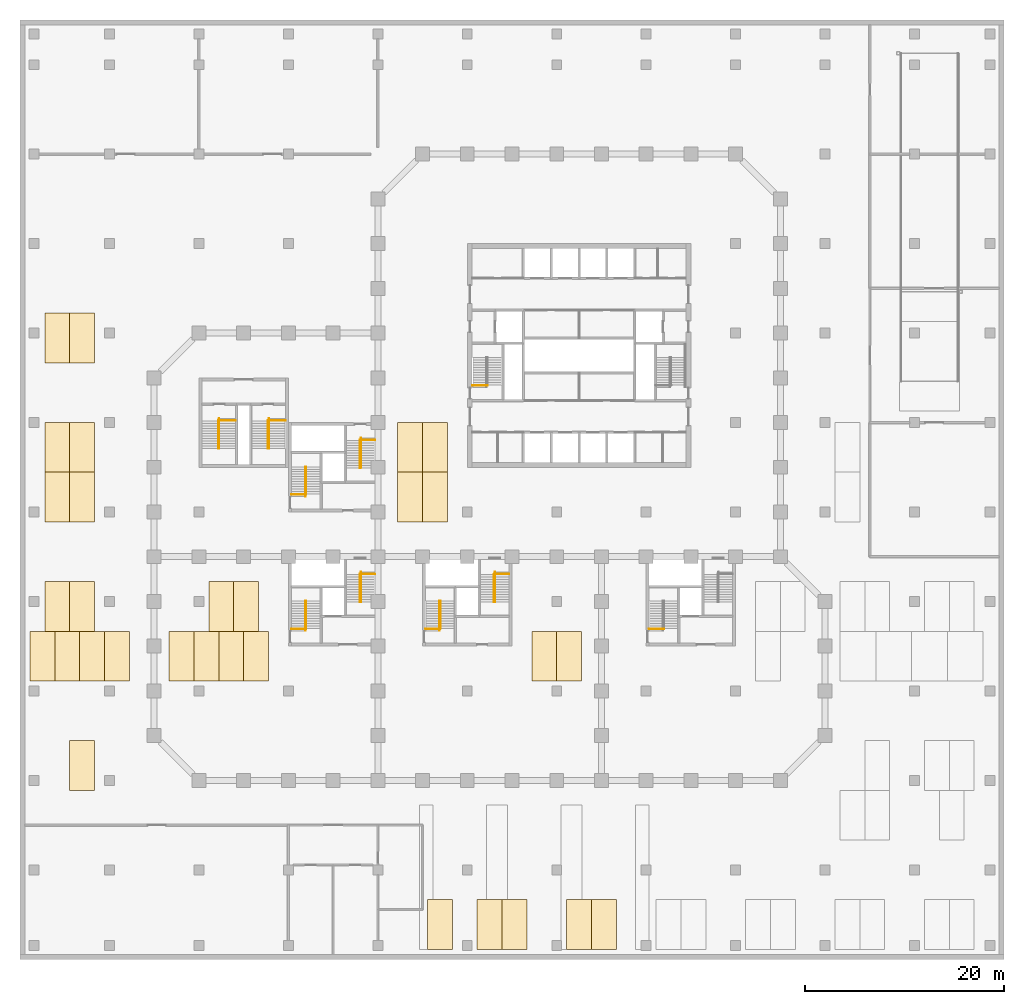
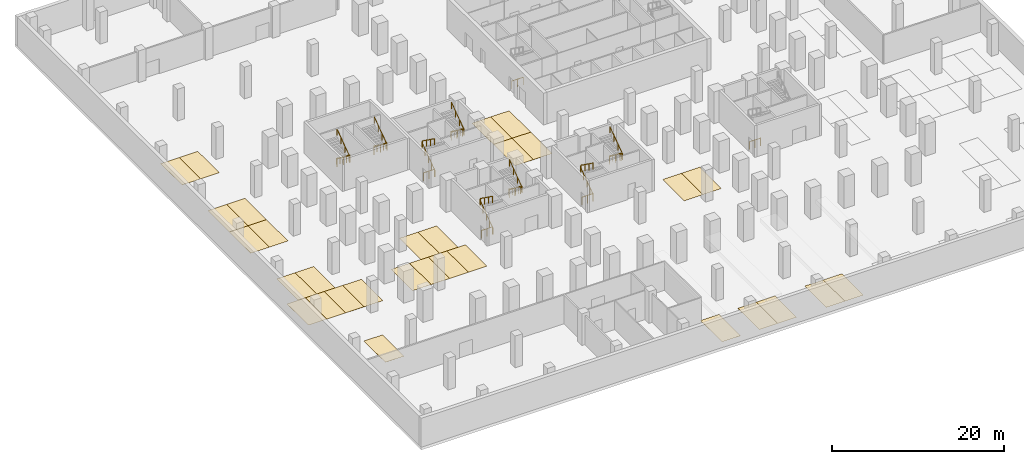
# One storey, part 15 of 16: 30 coverings, 18 railings.
"""IFC4 building model written with IfcOpenShell, lengths in metres."""

from ifc_helpers import new_model, si_unit, direction, frame, origin, origin_2d, place, context, subcontext, project, spatial, polyline, circle, outline, extrude, material, layer, layer_set, type_object, element, save


model = new_model("IFC4")

# Units and contexts
model_context = context("Model", 3, precision=1e-05, world=origin(), true_north=direction((0.0, 1.0)))
body_context = subcontext(model_context, "Body", "Model", "MODEL_VIEW")
ifc_project = project(units=[si_unit("LENGTHUNIT", "METRE"), si_unit("AREAUNIT", "SQUARE_METRE"), si_unit("VOLUMEUNIT", "CUBIC_METRE"), si_unit("PLANEANGLEUNIT", "RADIAN"), si_unit("MASSUNIT", "GRAM", prefix="KILO")], contexts=[model_context])

# Site, building, storey
site_placement = place(None, origin())
site = spatial("IfcSite", under=ifc_project, at=site_placement, CompositionType="ELEMENT")
building_placement = place(site_placement, origin())
building = spatial("IfcBuilding", under=site, at=building_placement, Name="Quoin Convention Tower", CompositionType="ELEMENT")
storey_placement = place(building_placement, frame((0.0, 0.0, -4.5)))
storey = spatial("IfcBuildingStorey", under=building, at=storey_placement, Name="B1", CompositionType="ELEMENT", Elevation=-4.5)

# Coverings
ifc_material_1 = material(Name="Road marking paint")
ifc_layer = layer(ifc_material_1, 0.0048828125)
ifc_layer_set = layer_set([ifc_layer], Name="Road marking paint")
covering_type = type_object("IfcCoveringType", Name="Parking bay marking", PredefinedType="FLOORING", material=ifc_layer_set)
covering_1_placement = place(storey_placement, origin())
element("IfcCovering", 1, at=covering_1_placement, inside=storey, type_object=covering_type, Name="PARKING BAY B1-01", PredefinedType="FLOORING", context=body_context, shape_type="SweptSolid", body=[
    extrude(outline(polyline([(41.0, 1.0), (43.5, 1.0), (43.5, 6.0), (41.0, 6.0), (41.0, 1.0)])), origin(), (0.0, 0.0, 1.0), 0.0048828125),
])
covering_2_placement = place(storey_placement, origin())
element("IfcCovering", 2, at=covering_2_placement, inside=storey, type_object=covering_type, Name="PARKING BAY B1-02", PredefinedType="FLOORING", context=body_context, shape_type="SweptSolid", body=[
    extrude(outline(polyline([(46.0, 1.0), (48.5, 1.0), (48.5, 6.0), (46.0, 6.0), (46.0, 1.0)])), origin(), (0.0, 0.0, 1.0), 0.0048828125),
])
covering_3_placement = place(storey_placement, origin())
element("IfcCovering", 3, at=covering_3_placement, inside=storey, type_object=covering_type, Name="PARKING BAY B1-03", PredefinedType="FLOORING", context=body_context, shape_type="SweptSolid", body=[
    extrude(outline(polyline([(48.5, 1.0), (51.0, 1.0), (51.0, 6.0), (48.5, 6.0), (48.5, 1.0)])), origin(), (0.0, 0.0, 1.0), 0.0048828125),
])
covering_4_placement = place(storey_placement, origin())
element("IfcCovering", 4, at=covering_4_placement, inside=storey, type_object=covering_type, Name="PARKING BAY B1-04", PredefinedType="FLOORING", context=body_context, shape_type="SweptSolid", body=[
    extrude(outline(polyline([(55.0, 1.0), (57.5, 1.0), (57.5, 6.0), (55.0, 6.0), (55.0, 1.0)])), origin(), (0.0, 0.0, 1.0), 0.0048828125),
])
covering_5_placement = place(storey_placement, origin())
element("IfcCovering", 5, at=covering_5_placement, inside=storey, type_object=covering_type, Name="PARKING BAY B1-05", PredefinedType="FLOORING", context=body_context, shape_type="SweptSolid", body=[
    extrude(outline(polyline([(57.5, 1.0), (60.0, 1.0), (60.0, 6.0), (57.5, 6.0), (57.5, 1.0)])), origin(), (0.0, 0.0, 1.0), 0.0048828125),
])
covering_6_placement = place(storey_placement, origin())
element("IfcCovering", 6, at=covering_6_placement, inside=storey, type_object=covering_type, Name="PARKING BAY B1-17", PredefinedType="FLOORING", context=body_context, shape_type="SweptSolid", body=[
    extrude(outline(polyline([(5.0, 17.0), (7.5, 17.0), (7.5, 22.0), (5.0, 22.0), (5.0, 17.0)])), origin(), (0.0, 0.0, 1.0), 0.0048828125),
])
covering_7_placement = place(storey_placement, origin())
element("IfcCovering", 7, at=covering_7_placement, inside=storey, type_object=covering_type, Name="PARKING BAY B1-21", PredefinedType="FLOORING", context=body_context, shape_type="SweptSolid", body=[
    extrude(outline(polyline([(1.0, 28.0), (3.5, 28.0), (3.5, 33.0), (1.0, 33.0), (1.0, 28.0)])), origin(), (0.0, 0.0, 1.0), 0.0048828125),
])
covering_8_placement = place(storey_placement, origin())
element("IfcCovering", 8, at=covering_8_placement, inside=storey, type_object=covering_type, Name="PARKING BAY B1-22", PredefinedType="FLOORING", context=body_context, shape_type="SweptSolid", body=[
    extrude(outline(polyline([(3.5, 28.0), (6.0, 28.0), (6.0, 33.0), (3.5, 33.0), (3.5, 28.0)])), origin(), (0.0, 0.0, 1.0), 0.0048828125),
])
covering_9_placement = place(storey_placement, origin())
element("IfcCovering", 9, at=covering_9_placement, inside=storey, type_object=covering_type, Name="PARKING BAY B1-23", PredefinedType="FLOORING", context=body_context, shape_type="SweptSolid", body=[
    extrude(outline(polyline([(6.0, 28.0), (8.5, 28.0), (8.5, 33.0), (6.0, 33.0), (6.0, 28.0)])), origin(), (0.0, 0.0, 1.0), 0.0048828125),
])
covering_10_placement = place(storey_placement, origin())
element("IfcCovering", 10, at=covering_10_placement, inside=storey, type_object=covering_type, Name="PARKING BAY B1-24", PredefinedType="FLOORING", context=body_context, shape_type="SweptSolid", body=[
    extrude(outline(polyline([(8.5, 28.0), (11.0, 28.0), (11.0, 33.0), (8.5, 33.0), (8.5, 28.0)])), origin(), (0.0, 0.0, 1.0), 0.0048828125),
])
covering_11_placement = place(storey_placement, origin())
element("IfcCovering", 11, at=covering_11_placement, inside=storey, type_object=covering_type, Name="PARKING BAY B1-25", PredefinedType="FLOORING", context=body_context, shape_type="SweptSolid", body=[
    extrude(outline(polyline([(15.0, 28.0), (17.5, 28.0), (17.5, 33.0), (15.0, 33.0), (15.0, 28.0)])), origin(), (0.0, 0.0, 1.0), 0.0048828125),
])
covering_12_placement = place(storey_placement, origin())
element("IfcCovering", 12, at=covering_12_placement, inside=storey, type_object=covering_type, Name="PARKING BAY B1-26", PredefinedType="FLOORING", context=body_context, shape_type="SweptSolid", body=[
    extrude(outline(polyline([(17.5, 28.0), (20.0, 28.0), (20.0, 33.0), (17.5, 33.0), (17.5, 28.0)])), origin(), (0.0, 0.0, 1.0), 0.0048828125),
])
covering_13_placement = place(storey_placement, origin())
element("IfcCovering", 13, at=covering_13_placement, inside=storey, type_object=covering_type, Name="PARKING BAY B1-27", PredefinedType="FLOORING", context=body_context, shape_type="SweptSolid", body=[
    extrude(outline(polyline([(20.0, 28.0), (22.5, 28.0), (22.5, 33.0), (20.0, 33.0), (20.0, 28.0)])), origin(), (0.0, 0.0, 1.0), 0.0048828125),
])
covering_14_placement = place(storey_placement, origin())
element("IfcCovering", 14, at=covering_14_placement, inside=storey, type_object=covering_type, Name="PARKING BAY B1-28", PredefinedType="FLOORING", context=body_context, shape_type="SweptSolid", body=[
    extrude(outline(polyline([(22.5, 28.0), (25.0, 28.0), (25.0, 33.0), (22.5, 33.0), (22.5, 28.0)])), origin(), (0.0, 0.0, 1.0), 0.0048828125),
])
covering_15_placement = place(storey_placement, origin())
element("IfcCovering", 15, at=covering_15_placement, inside=storey, type_object=covering_type, Name="PARKING BAY B1-29", PredefinedType="FLOORING", context=body_context, shape_type="SweptSolid", body=[
    extrude(outline(polyline([(51.5, 28.0), (54.0, 28.0), (54.0, 33.0), (51.5, 33.0), (51.5, 28.0)])), origin(), (0.0, 0.0, 1.0), 0.0048828125),
])
covering_16_placement = place(storey_placement, origin())
element("IfcCovering", 16, at=covering_16_placement, inside=storey, type_object=covering_type, Name="PARKING BAY B1-30", PredefinedType="FLOORING", context=body_context, shape_type="SweptSolid", body=[
    extrude(outline(polyline([(54.0, 28.0), (56.5, 28.0), (56.5, 33.0), (54.0, 33.0), (54.0, 28.0)])), origin(), (0.0, 0.0, 1.0), 0.0048828125),
])
covering_17_placement = place(storey_placement, origin())
element("IfcCovering", 17, at=covering_17_placement, inside=storey, type_object=covering_type, Name="PARKING BAY B1-36", PredefinedType="FLOORING", context=body_context, shape_type="SweptSolid", body=[
    extrude(outline(polyline([(2.5, 33.0), (5.0, 33.0), (5.0, 38.0), (2.5, 38.0), (2.5, 33.0)])), origin(), (0.0, 0.0, 1.0), 0.0048828125),
])
covering_18_placement = place(storey_placement, origin())
element("IfcCovering", 18, at=covering_18_placement, inside=storey, type_object=covering_type, Name="PARKING BAY B1-37", PredefinedType="FLOORING", context=body_context, shape_type="SweptSolid", body=[
    extrude(outline(polyline([(5.0, 33.0), (7.5, 33.0), (7.5, 38.0), (5.0, 38.0), (5.0, 33.0)])), origin(), (0.0, 0.0, 1.0), 0.0048828125),
])
covering_19_placement = place(storey_placement, origin())
element("IfcCovering", 19, at=covering_19_placement, inside=storey, type_object=covering_type, Name="PARKING BAY B1-38", PredefinedType="FLOORING", context=body_context, shape_type="SweptSolid", body=[
    extrude(outline(polyline([(19.0, 33.0), (21.5, 33.0), (21.5, 38.0), (19.0, 38.0), (19.0, 33.0)])), origin(), (0.0, 0.0, 1.0), 0.0048828125),
])
covering_20_placement = place(storey_placement, origin())
element("IfcCovering", 20, at=covering_20_placement, inside=storey, type_object=covering_type, Name="PARKING BAY B1-39", PredefinedType="FLOORING", context=body_context, shape_type="SweptSolid", body=[
    extrude(outline(polyline([(21.5, 33.0), (24.0, 33.0), (24.0, 38.0), (21.5, 38.0), (21.5, 33.0)])), origin(), (0.0, 0.0, 1.0), 0.0048828125),
])
covering_21_placement = place(storey_placement, origin())
element("IfcCovering", 21, at=covering_21_placement, inside=storey, type_object=covering_type, Name="PARKING BAY B1-46", PredefinedType="FLOORING", context=body_context, shape_type="SweptSolid", body=[
    extrude(outline(polyline([(2.5, 44.0), (5.0, 44.0), (5.0, 49.0), (2.5, 49.0), (2.5, 44.0)])), origin(), (0.0, 0.0, 1.0), 0.0048828125),
])
covering_22_placement = place(storey_placement, origin())
element("IfcCovering", 22, at=covering_22_placement, inside=storey, type_object=covering_type, Name="PARKING BAY B1-47", PredefinedType="FLOORING", context=body_context, shape_type="SweptSolid", body=[
    extrude(outline(polyline([(5.0, 44.0), (7.5, 44.0), (7.5, 49.0), (5.0, 49.0), (5.0, 44.0)])), origin(), (0.0, 0.0, 1.0), 0.0048828125),
])
covering_23_placement = place(storey_placement, origin())
element("IfcCovering", 23, at=covering_23_placement, inside=storey, type_object=covering_type, Name="PARKING BAY B1-48", PredefinedType="FLOORING", context=body_context, shape_type="SweptSolid", body=[
    extrude(outline(polyline([(38.0, 44.0), (40.5, 44.0), (40.5, 49.0), (38.0, 49.0), (38.0, 44.0)])), origin(), (0.0, 0.0, 1.0), 0.0048828125),
])
covering_24_placement = place(storey_placement, origin())
element("IfcCovering", 24, at=covering_24_placement, inside=storey, type_object=covering_type, Name="PARKING BAY B1-49", PredefinedType="FLOORING", context=body_context, shape_type="SweptSolid", body=[
    extrude(outline(polyline([(40.5, 44.0), (43.0, 44.0), (43.0, 49.0), (40.5, 49.0), (40.5, 44.0)])), origin(), (0.0, 0.0, 1.0), 0.0048828125),
])
covering_25_placement = place(storey_placement, origin())
element("IfcCovering", 25, at=covering_25_placement, inside=storey, type_object=covering_type, Name="PARKING BAY B1-51", PredefinedType="FLOORING", context=body_context, shape_type="SweptSolid", body=[
    extrude(outline(polyline([(2.5, 49.0), (5.0, 49.0), (5.0, 54.0), (2.5, 54.0), (2.5, 49.0)])), origin(), (0.0, 0.0, 1.0), 0.0048828125),
])
covering_26_placement = place(storey_placement, origin())
element("IfcCovering", 26, at=covering_26_placement, inside=storey, type_object=covering_type, Name="PARKING BAY B1-52", PredefinedType="FLOORING", context=body_context, shape_type="SweptSolid", body=[
    extrude(outline(polyline([(5.0, 49.0), (7.5, 49.0), (7.5, 54.0), (5.0, 54.0), (5.0, 49.0)])), origin(), (0.0, 0.0, 1.0), 0.0048828125),
])
covering_27_placement = place(storey_placement, origin())
element("IfcCovering", 27, at=covering_27_placement, inside=storey, type_object=covering_type, Name="PARKING BAY B1-53", PredefinedType="FLOORING", context=body_context, shape_type="SweptSolid", body=[
    extrude(outline(polyline([(38.0, 49.0), (40.5, 49.0), (40.5, 54.0), (38.0, 54.0), (38.0, 49.0)])), origin(), (0.0, 0.0, 1.0), 0.0048828125),
])
covering_28_placement = place(storey_placement, origin())
element("IfcCovering", 28, at=covering_28_placement, inside=storey, type_object=covering_type, Name="PARKING BAY B1-54", PredefinedType="FLOORING", context=body_context, shape_type="SweptSolid", body=[
    extrude(outline(polyline([(40.5, 49.0), (43.0, 49.0), (43.0, 54.0), (40.5, 54.0), (40.5, 49.0)])), origin(), (0.0, 0.0, 1.0), 0.0048828125),
])
covering_29_placement = place(storey_placement, origin())
element("IfcCovering", 29, at=covering_29_placement, inside=storey, type_object=covering_type, Name="PARKING BAY B1-56", PredefinedType="FLOORING", context=body_context, shape_type="SweptSolid", body=[
    extrude(outline(polyline([(2.5, 60.0), (5.0, 60.0), (5.0, 65.0), (2.5, 65.0), (2.5, 60.0)])), origin(), (0.0, 0.0, 1.0), 0.0048828125),
])
covering_30_placement = place(storey_placement, origin())
element("IfcCovering", 30, at=covering_30_placement, inside=storey, type_object=covering_type, Name="PARKING BAY B1-57", PredefinedType="FLOORING", context=body_context, shape_type="SweptSolid", body=[
    extrude(outline(polyline([(5.0, 60.0), (7.5, 60.0), (7.5, 65.0), (5.0, 65.0), (5.0, 60.0)])), origin(), (0.0, 0.0, 1.0), 0.0048828125),
])

# Railings
ifc_material_2 = material(Name="Stainless steel", Category="steel")
railing_type_1 = type_object("IfcRailingType", Name="Stair handrail 900", PredefinedType="HANDRAIL", material=ifc_material_2)
railing_1_placement = place(storey_placement, frame((28.705078125, 46.550048828125, 0.179931640625)))
element("IfcRailing", 31, at=railing_1_placement, inside=storey, type_object=railing_type_1, Name="SD3 handrail 1", PredefinedType="HANDRAIL", context=body_context, shape_type="SweptSolid", body=[
    extrude(circle(Radius=0.02392578125, at=origin_2d()), frame((0.0, 0.0, 0.8759765625), z_axis=(0.0, 0.811514298965, 0.584332561625), x_axis=(-1.0, 0.0, 0.0)), (0.0, 0.0, 1.0), 3.69677734375),
    extrude(circle(Radius=0.02392578125, at=origin_2d()), frame((0.0, 3.0, 3.0361328125), z_axis=(0.446727955732, 0.0, 0.894669846126), x_axis=(0.0, 1.0, 0.0)), (0.0, 0.0, 1.0), 0.201171875),
    extrude(circle(Radius=0.02392578125, at=origin_2d()), frame((0.08984375, 3.0, 3.2158203125), z_axis=(0.0, -0.811537074521, 0.584300929897), x_axis=(1.0, 0.0, 0.0)), (0.0, 0.0, 1.0), 3.388671875),
    extrude(circle(Radius=0.02099609375, at=origin_2d()), origin(), (0.0, 0.0, 1.0), 0.851806640625),
    extrude(circle(Radius=0.02099609375, at=origin_2d()), frame((0.0, 0.75, 0.5400390625)), (0.0, 0.0, 1.0), 0.851806640625),
    extrude(circle(Radius=0.02099609375, at=origin_2d()), frame((0.0, 1.5, 1.080078125)), (0.0, 0.0, 1.0), 0.851806640625),
    extrude(circle(Radius=0.02099609375, at=origin_2d()), frame((0.0, 2.25, 1.6201171875)), (0.0, 0.0, 1.0), 0.851806640625),
    extrude(circle(Radius=0.02099609375, at=origin_2d()), frame((0.0, 3.0, 2.16015625)), (0.0, 0.0, 1.0), 0.851806640625),
    extrude(circle(Radius=0.02099609375, at=origin_2d()), frame((0.08984375, 3.0, 2.340087890625)), (0.0, 0.0, 1.0), 0.851806640625),
    extrude(circle(Radius=0.02099609375, at=origin_2d()), frame((0.08984375, 2.083251953125, 3.0)), (0.0, 0.0, 1.0), 0.851806640625),
    extrude(circle(Radius=0.02099609375, at=origin_2d()), frame((0.08984375, 1.166748046875, 3.66015625)), (0.0, 0.0, 1.0), 0.851806640625),
    extrude(circle(Radius=0.02099609375, at=origin_2d()), frame((0.08984375, 0.25, 4.320068359375)), (0.0, 0.0, 1.0), 0.851806640625),
])
railing_2_placement = place(storey_placement, frame((34.294921875, 52.449951171875, 0.179931640625)))
element("IfcRailing", 32, at=railing_2_placement, inside=storey, type_object=railing_type_1, Name="SD4 handrail 1", PredefinedType="HANDRAIL", context=body_context, shape_type="SweptSolid", body=[
    extrude(circle(Radius=0.02392578125, at=origin_2d()), frame((0.0, 0.0, 0.8759765625), z_axis=(0.0, -0.811514298965, 0.584332561625), x_axis=(1.0, 0.0, 0.0)), (0.0, 0.0, 1.0), 3.69677734375),
    extrude(circle(Radius=0.02392578125, at=origin_2d()), frame((0.0, -3.0, 3.0361328125), z_axis=(-0.446727955732, 0.0, 0.894669846126), x_axis=(0.0, -1.0, 0.0)), (0.0, 0.0, 1.0), 0.201171875),
    extrude(circle(Radius=0.02392578125, at=origin_2d()), frame((-0.08984375, -3.0, 3.2158203125), z_axis=(0.0, 0.811537074521, 0.584300929897), x_axis=(-1.0, 0.0, 0.0)), (0.0, 0.0, 1.0), 3.388671875),
    extrude(circle(Radius=0.02099609375, at=origin_2d()), origin(), (0.0, 0.0, 1.0), 0.851806640625),
    extrude(circle(Radius=0.02099609375, at=origin_2d()), frame((0.0, -0.75, 0.5400390625)), (0.0, 0.0, 1.0), 0.851806640625),
    extrude(circle(Radius=0.02099609375, at=origin_2d()), frame((0.0, -1.5, 1.080078125)), (0.0, 0.0, 1.0), 0.851806640625),
    extrude(circle(Radius=0.02099609375, at=origin_2d()), frame((0.0, -2.25, 1.6201171875)), (0.0, 0.0, 1.0), 0.851806640625),
    extrude(circle(Radius=0.02099609375, at=origin_2d()), frame((0.0, -3.0, 2.16015625)), (0.0, 0.0, 1.0), 0.851806640625),
    extrude(circle(Radius=0.02099609375, at=origin_2d()), frame((-0.08984375, -3.0, 2.340087890625)), (0.0, 0.0, 1.0), 0.851806640625),
    extrude(circle(Radius=0.02099609375, at=origin_2d()), frame((-0.08984375, -2.083251953125, 3.0)), (0.0, 0.0, 1.0), 0.851806640625),
    extrude(circle(Radius=0.02099609375, at=origin_2d()), frame((-0.08984375, -1.166748046875, 3.66015625)), (0.0, 0.0, 1.0), 0.851806640625),
    extrude(circle(Radius=0.02099609375, at=origin_2d()), frame((-0.08984375, -0.25, 4.320068359375)), (0.0, 0.0, 1.0), 0.851806640625),
])
railing_3_placement = place(storey_placement, frame((42.205078125, 33.050048828125, 0.179931640625)))
element("IfcRailing", 33, at=railing_3_placement, inside=storey, type_object=railing_type_1, Name="SD5 handrail 1", PredefinedType="HANDRAIL", context=body_context, shape_type="SweptSolid", body=[
    extrude(circle(Radius=0.02392578125, at=origin_2d()), frame((0.0, 0.0, 0.8759765625), z_axis=(0.0, 0.811514298965, 0.584332561625), x_axis=(-1.0, 0.0, 0.0)), (0.0, 0.0, 1.0), 3.69677734375),
    extrude(circle(Radius=0.02392578125, at=origin_2d()), frame((0.0, 3.0, 3.0361328125), z_axis=(0.446727955732, 0.0, 0.894669846126), x_axis=(0.0, 1.0, 0.0)), (0.0, 0.0, 1.0), 0.201171875),
    extrude(circle(Radius=0.02392578125, at=origin_2d()), frame((0.08984375, 3.0, 3.2158203125), z_axis=(0.0, -0.811537074521, 0.584300929897), x_axis=(1.0, 0.0, 0.0)), (0.0, 0.0, 1.0), 3.388671875),
    extrude(circle(Radius=0.02099609375, at=origin_2d()), origin(), (0.0, 0.0, 1.0), 0.851806640625),
    extrude(circle(Radius=0.02099609375, at=origin_2d()), frame((0.0, 0.75, 0.5400390625)), (0.0, 0.0, 1.0), 0.851806640625),
    extrude(circle(Radius=0.02099609375, at=origin_2d()), frame((0.0, 1.5, 1.080078125)), (0.0, 0.0, 1.0), 0.851806640625),
    extrude(circle(Radius=0.02099609375, at=origin_2d()), frame((0.0, 2.25, 1.6201171875)), (0.0, 0.0, 1.0), 0.851806640625),
    extrude(circle(Radius=0.02099609375, at=origin_2d()), frame((0.0, 3.0, 2.16015625)), (0.0, 0.0, 1.0), 0.851806640625),
    extrude(circle(Radius=0.02099609375, at=origin_2d()), frame((0.08984375, 3.0, 2.340087890625)), (0.0, 0.0, 1.0), 0.851806640625),
    extrude(circle(Radius=0.02099609375, at=origin_2d()), frame((0.08984375, 2.083251953125, 3.0)), (0.0, 0.0, 1.0), 0.851806640625),
    extrude(circle(Radius=0.02099609375, at=origin_2d()), frame((0.08984375, 1.166748046875, 3.66015625)), (0.0, 0.0, 1.0), 0.851806640625),
    extrude(circle(Radius=0.02099609375, at=origin_2d()), frame((0.08984375, 0.25, 4.320068359375)), (0.0, 0.0, 1.0), 0.851806640625),
])
railing_4_placement = place(storey_placement, frame((47.794921875, 38.949951171875, 0.179931640625)))
element("IfcRailing", 34, at=railing_4_placement, inside=storey, type_object=railing_type_1, Name="SD6 handrail 1", PredefinedType="HANDRAIL", context=body_context, shape_type="SweptSolid", body=[
    extrude(circle(Radius=0.02392578125, at=origin_2d()), frame((0.0, 0.0, 0.8759765625), z_axis=(0.0, -0.811514298965, 0.584332561625), x_axis=(1.0, 0.0, 0.0)), (0.0, 0.0, 1.0), 3.69677734375),
    extrude(circle(Radius=0.02392578125, at=origin_2d()), frame((0.0, -3.0, 3.0361328125), z_axis=(-0.446727955732, 0.0, 0.894669846126), x_axis=(0.0, -1.0, 0.0)), (0.0, 0.0, 1.0), 0.201171875),
    extrude(circle(Radius=0.02392578125, at=origin_2d()), frame((-0.08984375, -3.0, 3.2158203125), z_axis=(0.0, 0.811537074521, 0.584300929897), x_axis=(-1.0, 0.0, 0.0)), (0.0, 0.0, 1.0), 3.388671875),
    extrude(circle(Radius=0.02099609375, at=origin_2d()), origin(), (0.0, 0.0, 1.0), 0.851806640625),
    extrude(circle(Radius=0.02099609375, at=origin_2d()), frame((0.0, -0.75, 0.5400390625)), (0.0, 0.0, 1.0), 0.851806640625),
    extrude(circle(Radius=0.02099609375, at=origin_2d()), frame((0.0, -1.5, 1.080078125)), (0.0, 0.0, 1.0), 0.851806640625),
    extrude(circle(Radius=0.02099609375, at=origin_2d()), frame((0.0, -2.25, 1.6201171875)), (0.0, 0.0, 1.0), 0.851806640625),
    extrude(circle(Radius=0.02099609375, at=origin_2d()), frame((0.0, -3.0, 2.16015625)), (0.0, 0.0, 1.0), 0.851806640625),
    extrude(circle(Radius=0.02099609375, at=origin_2d()), frame((-0.08984375, -3.0, 2.340087890625)), (0.0, 0.0, 1.0), 0.851806640625),
    extrude(circle(Radius=0.02099609375, at=origin_2d()), frame((-0.08984375, -2.083251953125, 3.0)), (0.0, 0.0, 1.0), 0.851806640625),
    extrude(circle(Radius=0.02099609375, at=origin_2d()), frame((-0.08984375, -1.166748046875, 3.66015625)), (0.0, 0.0, 1.0), 0.851806640625),
    extrude(circle(Radius=0.02099609375, at=origin_2d()), frame((-0.08984375, -0.25, 4.320068359375)), (0.0, 0.0, 1.0), 0.851806640625),
])
railing_5_placement = place(storey_placement, frame((28.705078125, 33.050048828125, 0.179931640625)))
element("IfcRailing", 35, at=railing_5_placement, inside=storey, type_object=railing_type_1, Name="SD7 handrail 1", PredefinedType="HANDRAIL", context=body_context, shape_type="SweptSolid", body=[
    extrude(circle(Radius=0.02392578125, at=origin_2d()), frame((0.0, 0.0, 0.8759765625), z_axis=(0.0, 0.811514298965, 0.584332561625), x_axis=(-1.0, 0.0, 0.0)), (0.0, 0.0, 1.0), 3.69677734375),
    extrude(circle(Radius=0.02392578125, at=origin_2d()), frame((0.0, 3.0, 3.0361328125), z_axis=(0.446727955732, 0.0, 0.894669846126), x_axis=(0.0, 1.0, 0.0)), (0.0, 0.0, 1.0), 0.201171875),
    extrude(circle(Radius=0.02392578125, at=origin_2d()), frame((0.08984375, 3.0, 3.2158203125), z_axis=(0.0, -0.811537074521, 0.584300929897), x_axis=(1.0, 0.0, 0.0)), (0.0, 0.0, 1.0), 3.388671875),
    extrude(circle(Radius=0.02099609375, at=origin_2d()), origin(), (0.0, 0.0, 1.0), 0.851806640625),
    extrude(circle(Radius=0.02099609375, at=origin_2d()), frame((0.0, 0.75, 0.5400390625)), (0.0, 0.0, 1.0), 0.851806640625),
    extrude(circle(Radius=0.02099609375, at=origin_2d()), frame((0.0, 1.5, 1.080078125)), (0.0, 0.0, 1.0), 0.851806640625),
    extrude(circle(Radius=0.02099609375, at=origin_2d()), frame((0.0, 2.25, 1.6201171875)), (0.0, 0.0, 1.0), 0.851806640625),
    extrude(circle(Radius=0.02099609375, at=origin_2d()), frame((0.0, 3.0, 2.16015625)), (0.0, 0.0, 1.0), 0.851806640625),
    extrude(circle(Radius=0.02099609375, at=origin_2d()), frame((0.08984375, 3.0, 2.340087890625)), (0.0, 0.0, 1.0), 0.851806640625),
    extrude(circle(Radius=0.02099609375, at=origin_2d()), frame((0.08984375, 2.083251953125, 3.0)), (0.0, 0.0, 1.0), 0.851806640625),
    extrude(circle(Radius=0.02099609375, at=origin_2d()), frame((0.08984375, 1.166748046875, 3.66015625)), (0.0, 0.0, 1.0), 0.851806640625),
    extrude(circle(Radius=0.02099609375, at=origin_2d()), frame((0.08984375, 0.25, 4.320068359375)), (0.0, 0.0, 1.0), 0.851806640625),
])
for number, where, name in (
    (36, (34.294921875, 38.949951171875, 0.179931640625), "SD8 handrail 1"),
    (37, (20.044921875, 54.39990234375, 0.179931640625), "SD11 handrail 1"),
    (38, (25.044921875, 54.39990234375, 0.179931640625), "SD12 handrail 1"),
):
    element("IfcRailing", number, at=place(storey_placement, frame(where)), inside=storey, type_object=railing_type_1, Name=name, PredefinedType="HANDRAIL", context=body_context, shape_type="SweptSolid", body=[
        extrude(circle(Radius=0.02392578125, at=origin_2d()), frame((0.0, 0.0, 0.8759765625), z_axis=(0.0, -0.811514298965, 0.584332561625), x_axis=(1.0, 0.0, 0.0)), (0.0, 0.0, 1.0), 3.69677734375),
        extrude(circle(Radius=0.02392578125, at=origin_2d()), frame((0.0, -3.0, 3.0361328125), z_axis=(-0.446727955732, 0.0, 0.894669846126), x_axis=(0.0, -1.0, 0.0)), (0.0, 0.0, 1.0), 0.201171875),
        extrude(circle(Radius=0.02392578125, at=origin_2d()), frame((-0.08984375, -3.0, 3.2158203125), z_axis=(0.0, 0.811537074521, 0.584300929897), x_axis=(-1.0, 0.0, 0.0)), (0.0, 0.0, 1.0), 3.388671875),
        extrude(circle(Radius=0.02099609375, at=origin_2d()), origin(), (0.0, 0.0, 1.0), 0.851806640625),
        extrude(circle(Radius=0.02099609375, at=origin_2d()), frame((0.0, -0.75, 0.5400390625)), (0.0, 0.0, 1.0), 0.851806640625),
        extrude(circle(Radius=0.02099609375, at=origin_2d()), frame((0.0, -1.5, 1.080078125)), (0.0, 0.0, 1.0), 0.851806640625),
        extrude(circle(Radius=0.02099609375, at=origin_2d()), frame((0.0, -2.25, 1.6201171875)), (0.0, 0.0, 1.0), 0.851806640625),
        extrude(circle(Radius=0.02099609375, at=origin_2d()), frame((0.0, -3.0, 2.16015625)), (0.0, 0.0, 1.0), 0.851806640625),
        extrude(circle(Radius=0.02099609375, at=origin_2d()), frame((-0.08984375, -3.0, 2.340087890625)), (0.0, 0.0, 1.0), 0.851806640625),
        extrude(circle(Radius=0.02099609375, at=origin_2d()), frame((-0.08984375, -2.083251953125, 3.0)), (0.0, 0.0, 1.0), 0.851806640625),
        extrude(circle(Radius=0.02099609375, at=origin_2d()), frame((-0.08984375, -1.166748046875, 3.66015625)), (0.0, 0.0, 1.0), 0.851806640625),
        extrude(circle(Radius=0.02099609375, at=origin_2d()), frame((-0.08984375, -0.25, 4.320068359375)), (0.0, 0.0, 1.0), 0.851806640625),
    ])
railing_type_2 = type_object("IfcRailingType", Name="Stair top guard 1100", PredefinedType="GUARDRAIL", material=ifc_material_2)
railing_6_placement = place(storey_placement, frame((45.5, 57.75, 0.0)))
element("IfcRailing", 39, at=railing_6_placement, inside=storey, type_object=railing_type_2, Name="SD1 top guard", PredefinedType="GUARDRAIL", context=body_context, shape_type="SweptSolid", body=[
    extrude(circle(Radius=0.02392578125, at=origin_2d()), frame((0.0, 0.0, 1.076171875), z_axis=(1.0, 0.0, 0.0), x_axis=(0.0, 1.0, 0.0)), (0.0, 0.0, 1.0), 1.544921875),
    extrude(circle(Radius=0.02099609375, at=origin_2d()), origin(), (0.0, 0.0, 1.0), 1.052001953125),
    extrude(circle(Radius=0.02099609375, at=origin_2d()), frame((0.7724609375, 0.0, 0.0)), (0.0, 0.0, 1.0), 1.052001953125),
    extrude(circle(Radius=0.02099609375, at=origin_2d()), frame((1.544921875, 0.0, 0.0)), (0.0, 0.0, 1.0), 1.052001953125),
])
railing_7_placement = place(storey_placement, frame((27.300048828125, 46.75, 0.0)))
element("IfcRailing", 40, at=railing_7_placement, inside=storey, type_object=railing_type_2, Name="SD3 top guard", PredefinedType="GUARDRAIL", context=body_context, shape_type="SweptSolid", body=[
    extrude(circle(Radius=0.02392578125, at=origin_2d()), frame((0.0, 0.0, 1.076171875), z_axis=(1.0, 0.0, 0.0), x_axis=(0.0, 1.0, 0.0)), (0.0, 0.0, 1.0), 1.494873046875),
    extrude(circle(Radius=0.02099609375, at=origin_2d()), origin(), (0.0, 0.0, 1.0), 1.052001953125),
    extrude(circle(Radius=0.02099609375, at=origin_2d()), frame((0.74755859375, 0.0, 0.0)), (0.0, 0.0, 1.0), 1.052001953125),
    extrude(circle(Radius=0.02099609375, at=origin_2d()), frame((1.494873046875, 0.0, 0.0)), (0.0, 0.0, 1.0), 1.052001953125),
])
railing_8_placement = place(storey_placement, frame((35.699951171875, 52.25, 0.0)))
element("IfcRailing", 41, at=railing_8_placement, inside=storey, type_object=railing_type_2, Name="SD4 top guard", PredefinedType="GUARDRAIL", context=body_context, shape_type="SweptSolid", body=[
    extrude(circle(Radius=0.02392578125, at=origin_2d()), frame((0.0, 0.0, 1.076171875), z_axis=(-1.0, 0.0, 0.0), x_axis=(0.0, -1.0, 0.0)), (0.0, 0.0, 1.0), 1.494873046875),
    extrude(circle(Radius=0.02099609375, at=origin_2d()), origin(), (0.0, 0.0, 1.0), 1.052001953125),
    extrude(circle(Radius=0.02099609375, at=origin_2d()), frame((-0.74755859375, 0.0, 0.0)), (0.0, 0.0, 1.0), 1.052001953125),
    extrude(circle(Radius=0.02099609375, at=origin_2d()), frame((-1.494873046875, 0.0, 0.0)), (0.0, 0.0, 1.0), 1.052001953125),
])
railing_9_placement = place(storey_placement, frame((40.800048828125, 33.25, 0.0)))
element("IfcRailing", 42, at=railing_9_placement, inside=storey, type_object=railing_type_2, Name="SD5 top guard", PredefinedType="GUARDRAIL", context=body_context, shape_type="SweptSolid", body=[
    extrude(circle(Radius=0.02392578125, at=origin_2d()), frame((0.0, 0.0, 1.076171875), z_axis=(1.0, 0.0, 0.0), x_axis=(0.0, 1.0, 0.0)), (0.0, 0.0, 1.0), 1.494873046875),
    extrude(circle(Radius=0.02099609375, at=origin_2d()), origin(), (0.0, 0.0, 1.0), 1.052001953125),
    extrude(circle(Radius=0.02099609375, at=origin_2d()), frame((0.74755859375, 0.0, 0.0)), (0.0, 0.0, 1.0), 1.052001953125),
    extrude(circle(Radius=0.02099609375, at=origin_2d()), frame((1.494873046875, 0.0, 0.0)), (0.0, 0.0, 1.0), 1.052001953125),
])
railing_10_placement = place(storey_placement, frame((49.199951171875, 38.75, 0.0)))
element("IfcRailing", 43, at=railing_10_placement, inside=storey, type_object=railing_type_2, Name="SD6 top guard", PredefinedType="GUARDRAIL", context=body_context, shape_type="SweptSolid", body=[
    extrude(circle(Radius=0.02392578125, at=origin_2d()), frame((0.0, 0.0, 1.076171875), z_axis=(-1.0, 0.0, 0.0), x_axis=(0.0, -1.0, 0.0)), (0.0, 0.0, 1.0), 1.494873046875),
    extrude(circle(Radius=0.02099609375, at=origin_2d()), origin(), (0.0, 0.0, 1.0), 1.052001953125),
    extrude(circle(Radius=0.02099609375, at=origin_2d()), frame((-0.74755859375, 0.0, 0.0)), (0.0, 0.0, 1.0), 1.052001953125),
    extrude(circle(Radius=0.02099609375, at=origin_2d()), frame((-1.494873046875, 0.0, 0.0)), (0.0, 0.0, 1.0), 1.052001953125),
])
railing_11_placement = place(storey_placement, frame((27.300048828125, 33.25, 0.0)))
element("IfcRailing", 44, at=railing_11_placement, inside=storey, type_object=railing_type_2, Name="SD7 top guard", PredefinedType="GUARDRAIL", context=body_context, shape_type="SweptSolid", body=[
    extrude(circle(Radius=0.02392578125, at=origin_2d()), frame((0.0, 0.0, 1.076171875), z_axis=(1.0, 0.0, 0.0), x_axis=(0.0, 1.0, 0.0)), (0.0, 0.0, 1.0), 1.494873046875),
    extrude(circle(Radius=0.02099609375, at=origin_2d()), origin(), (0.0, 0.0, 1.0), 1.052001953125),
    extrude(circle(Radius=0.02099609375, at=origin_2d()), frame((0.74755859375, 0.0, 0.0)), (0.0, 0.0, 1.0), 1.052001953125),
    extrude(circle(Radius=0.02099609375, at=origin_2d()), frame((1.494873046875, 0.0, 0.0)), (0.0, 0.0, 1.0), 1.052001953125),
])
railing_12_placement = place(storey_placement, frame((35.699951171875, 38.75, 0.0)))
element("IfcRailing", 45, at=railing_12_placement, inside=storey, type_object=railing_type_2, Name="SD8 top guard", PredefinedType="GUARDRAIL", context=body_context, shape_type="SweptSolid", body=[
    extrude(circle(Radius=0.02392578125, at=origin_2d()), frame((0.0, 0.0, 1.076171875), z_axis=(-1.0, 0.0, 0.0), x_axis=(0.0, -1.0, 0.0)), (0.0, 0.0, 1.0), 1.494873046875),
    extrude(circle(Radius=0.02099609375, at=origin_2d()), origin(), (0.0, 0.0, 1.0), 1.052001953125),
    extrude(circle(Radius=0.02099609375, at=origin_2d()), frame((-0.74755859375, 0.0, 0.0)), (0.0, 0.0, 1.0), 1.052001953125),
    extrude(circle(Radius=0.02099609375, at=origin_2d()), frame((-1.494873046875, 0.0, 0.0)), (0.0, 0.0, 1.0), 1.052001953125),
])
railing_13_placement = place(storey_placement, frame((63.300048828125, 33.25, 0.0)))
element("IfcRailing", 46, at=railing_13_placement, inside=storey, type_object=railing_type_2, Name="SD9 top guard", PredefinedType="GUARDRAIL", context=body_context, shape_type="SweptSolid", body=[
    extrude(circle(Radius=0.02392578125, at=origin_2d()), frame((0.0, 0.0, 1.076171875), z_axis=(1.0, 0.0, 0.0), x_axis=(0.0, 1.0, 0.0)), (0.0, 0.0, 1.0), 1.494873046875),
    extrude(circle(Radius=0.02099609375, at=origin_2d()), origin(), (0.0, 0.0, 1.0), 1.052001953125),
    extrude(circle(Radius=0.02099609375, at=origin_2d()), frame((0.74755859375, 0.0, 0.0)), (0.0, 0.0, 1.0), 1.052001953125),
    extrude(circle(Radius=0.02099609375, at=origin_2d()), frame((1.494873046875, 0.0, 0.0)), (0.0, 0.0, 1.0), 1.052001953125),
])
for number, where, name in (
    (47, (21.699951171875, 54.199951171875, 0.0), "SD11 top guard"),
    (48, (26.699951171875, 54.199951171875, 0.0), "SD12 top guard"),
):
    element("IfcRailing", number, at=place(storey_placement, frame(where)), inside=storey, type_object=railing_type_2, Name=name, PredefinedType="GUARDRAIL", context=body_context, shape_type="SweptSolid", body=[
        extrude(circle(Radius=0.02392578125, at=origin_2d()), frame((0.0, 0.0, 1.076171875), z_axis=(-1.0, 0.0, 0.0), x_axis=(0.0, -1.0, 0.0)), (0.0, 0.0, 1.0), 1.744873046875),
        extrude(circle(Radius=0.02099609375, at=origin_2d()), origin(), (0.0, 0.0, 1.0), 1.052001953125),
        extrude(circle(Radius=0.02099609375, at=origin_2d()), frame((-0.87255859375, 0.0, 0.0)), (0.0, 0.0, 1.0), 1.052001953125),
        extrude(circle(Radius=0.02099609375, at=origin_2d()), frame((-1.744873046875, 0.0, 0.0)), (0.0, 0.0, 1.0), 1.052001953125),
    ])

save(model, "model.ifc")
